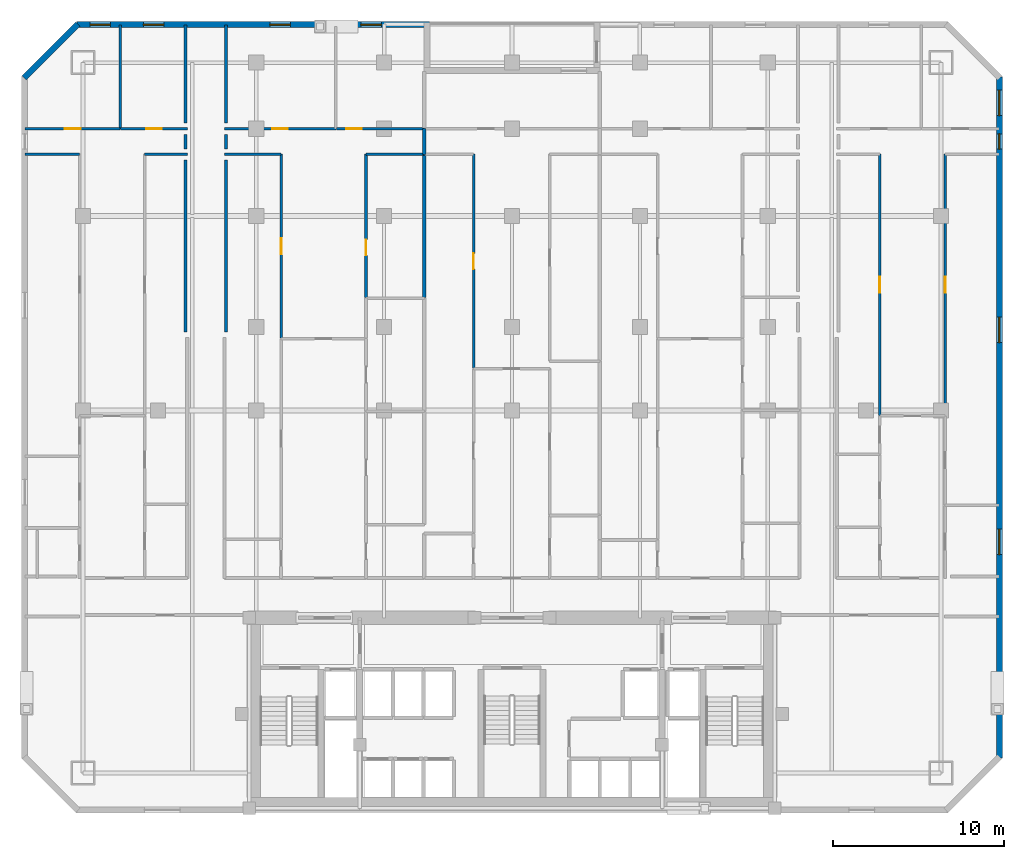
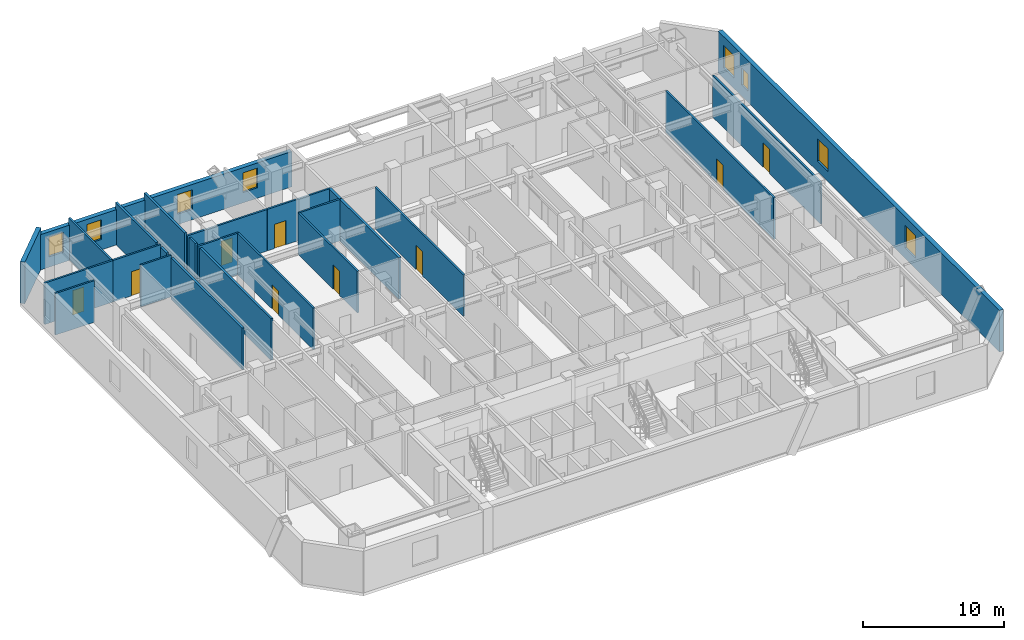
# One storey, part 7 of 10: 25 walls, 9 doors, 8 windows, 17 openings.
"""IFC4 building model written with IfcOpenShell, lengths in metres."""

from ifc_helpers import new_model, si_unit, direction, frame, frame_2d, origin, place, context, subcontext, project, spatial, rectangle, extrude, material, layer, layer_set, type_object, element, fill, save


model = new_model("IFC4")

# Units and contexts
model_context = context("Model", 3, precision=1e-05, world=origin(), true_north=direction((0.0, 1.0)))
body_context = subcontext(model_context, "Body", "Model", "MODEL_VIEW")
ifc_project = project(units=[si_unit("LENGTHUNIT", "METRE"), si_unit("AREAUNIT", "SQUARE_METRE"), si_unit("VOLUMEUNIT", "CUBIC_METRE"), si_unit("PLANEANGLEUNIT", "RADIAN"), si_unit("MASSUNIT", "GRAM", prefix="KILO")], contexts=[model_context])

# Site, building, storey
site_placement = place(None, origin())
site = spatial("IfcSite", under=ifc_project, at=site_placement, CompositionType="ELEMENT")
building_placement = place(site_placement, origin())
building = spatial("IfcBuilding", under=site, at=building_placement, Name="Ventersveld Concourse Tower", CompositionType="ELEMENT")
storey_placement = place(building_placement, frame((0.0, 0.0, 49.050048828125)))
storey = spatial("IfcBuildingStorey", under=building, at=storey_placement, Name="L11", CompositionType="ELEMENT", Elevation=49.050048828125)

# Walls
ifc_material_1 = material(Name="Fire-rated autoclaved aerated masonry blockwork", Category="masonry")
ifc_layer_1 = layer(ifc_material_1, 0.179931640625)
ifc_layer_set_1 = layer_set([ifc_layer_1], Name="Fire-rated autoclaved aerated masonry blockwork")
wall_type_1 = type_object("IfcWallType", Name="WL-CORR-180", PredefinedType="PARTITIONING", material=ifc_layer_set_1)
wall_1_placement = place(storey_placement, frame((9.6201171875, 39.794921875, 0.0), z_axis=(0.0, 0.0, 1.0), x_axis=(0.0, -1.0, 0.0)))
element("IfcWall", 1, at=wall_1_placement, inside=storey, type_object=wall_type_1, Name="L11 Room Enclosure Wall SP-L11-11NW-LIV", PredefinedType="PARTITIONING", context=body_context, shape_type="SweptSolid", body=[
    extrude(rectangle(XDim=0.849853515625, YDim=0.179931640625, at=frame_2d((0.4248046875, 0.0))), origin(), (0.0, 0.0, 1.0), 3.599853515625),
])
wall_2_placement = place(storey_placement, frame((9.6201171875, 38.294921875, 0.0), z_axis=(0.0, 0.0, 1.0), x_axis=(0.0, -1.0, 0.0)))
element("IfcWall", 2, at=wall_2_placement, inside=storey, type_object=wall_type_1, Name="L11 Room Enclosure Wall SP-L11-11NW-DENR", PredefinedType="PARTITIONING", context=body_context, shape_type="SweptSolid", body=[
    extrude(rectangle(XDim=10.0849609375, YDim=0.179931640625, at=frame_2d((5.04248046875, 0.0))), origin(), (0.0, 0.0, 1.0), 3.599853515625),
])
wall_3_placement = place(storey_placement, frame((9.6201171875, 46.18994140625, 0.0), z_axis=(0.0, 0.0, 1.0), x_axis=(0.0, -1.0, 0.0)))
element("IfcWall", 3, at=wall_3_placement, inside=storey, type_object=wall_type_1, Name="L11 Room Enclosure Wall SP-L11-11NW-BR2", PredefinedType="PARTITIONING", context=body_context, shape_type="SweptSolid", body=[
    extrude(rectangle(XDim=5.744873046875, YDim=0.179931640625, at=frame_2d((2.87255859375, 0.0))), origin(), (0.0, 0.0, 1.0), 3.599853515625),
])
wall_4_placement = place(storey_placement, frame((11.97998046875, 38.945068359375, 0.0), z_axis=(0.0, 0.0, 1.0), x_axis=(0.0, 1.0, 0.0)))
element("IfcWall", 4, at=wall_4_placement, inside=storey, type_object=wall_type_1, Name="L11 Room Enclosure Wall SP-L11-11CW-LIV", PredefinedType="PARTITIONING", context=body_context, shape_type="SweptSolid", body=[
    extrude(rectangle(XDim=0.849853515625, YDim=0.179931640625, at=frame_2d((0.4248046875, 0.0))), origin(), (0.0, 0.0, 1.0), 3.599853515625),
])
wall_5_placement = place(storey_placement, frame((11.97998046875, 28.2099609375, 0.0), z_axis=(0.0, 0.0, 1.0), x_axis=(0.0, 1.0, 0.0)))
element("IfcWall", 5, at=wall_5_placement, inside=storey, type_object=wall_type_1, Name="L11 Room Enclosure Wall SP-L11-11CW-MEDL0", PredefinedType="PARTITIONING", context=body_context, shape_type="SweptSolid", body=[
    extrude(rectangle(XDim=10.0849609375, YDim=0.179931640625, at=frame_2d((5.04248046875, 0.0))), origin(), (0.0, 0.0, 1.0), 3.599853515625),
])
wall_6_placement = place(storey_placement, frame((11.97998046875, 40.445068359375, 0.0), z_axis=(0.0, 0.0, 1.0), x_axis=(0.0, 1.0, 0.0)))
element("IfcWall", 6, at=wall_6_placement, inside=storey, type_object=wall_type_1, Name="L11 Room Enclosure Wall SP-L11-11CW-BR1", PredefinedType="PARTITIONING", context=body_context, shape_type="SweptSolid", body=[
    extrude(rectangle(XDim=5.744873046875, YDim=0.179931640625, at=frame_2d((2.87255859375, 0.0))), origin(), (0.0, 0.0, 1.0), 3.599853515625),
])
ifc_layer_2 = layer(ifc_material_1, 0.199951171875)
ifc_layer_set_2 = layer_set([ifc_layer_2], Name="Fire-rated autoclaved aerated masonry blockwork")
wall_type_2 = type_object("IfcWallType", Name="WL-DEMISE-200", PredefinedType="PARTITIONING", material=ifc_layer_set_2)
wall_7_placement = place(storey_placement, frame((23.610107421875, 38.614990234375, 0.0), z_axis=(0.0, 0.0, 1.0), x_axis=(0.0, 1.0, 0.0)))
element("IfcWall", 7, at=wall_7_placement, inside=storey, type_object=wall_type_2, Name="L11 Interior Partition SP-L11-11CW-LIV-SP-L11-11CM-LIV", PredefinedType="PARTITIONING", context=body_context, shape_type="SweptSolid", body=[
    extrude(rectangle(XDim=1.510009765625, YDim=0.199951171875, at=frame_2d((0.7548828125, 0.0))), origin(), (0.0, 0.0, 1.0), 3.599853515625),
])
wall_8_placement = place(storey_placement, frame((23.610107421875, 30.215576171875, 0.0), z_axis=(0.0, 0.0, 1.0), x_axis=(0.0, 1.0, 0.0)))
element("IfcWall", 8, at=wall_8_placement, inside=storey, type_object=wall_type_2, Name="L11 Interior Partition SP-L11-11CW-DENS2-SP-L11-11CM-DENL", PredefinedType="PARTITIONING", context=body_context, shape_type="SweptSolid", body=[
    extrude(rectangle(XDim=8.369384765625, YDim=0.199951171875, at=frame_2d((4.1845703125, 0.0))), origin(), (0.0, 0.0, 1.0), 3.599853515625),
])
ifc_material_2 = material(Name="Autoclaved aerated masonry blockwork", Category="masonry")
ifc_layer_3 = layer(ifc_material_2, 0.14990234375)
ifc_layer_set_3 = layer_set([ifc_layer_3], Name="Autoclaved aerated masonry blockwork")
wall_type_3 = type_object("IfcWallType", Name="WL-INT-150", PredefinedType="PARTITIONING", material=ifc_layer_set_3)
wall_9_placement = place(storey_placement, frame((0.2099609375, 38.6201171875, 0.0), z_axis=(0.0, 0.0, 1.0), x_axis=(1.0, 0.0, 0.0)))
element("IfcWall", 9, at=wall_9_placement, inside=storey, type_object=wall_type_3, Name="L11 Interior Partition SP-L11-11NW-LIV-SP-L11-11NW-DENL", PredefinedType="PARTITIONING", context=body_context, shape_type="SweptSolid", body=[
    extrude(rectangle(XDim=3.190185546875, YDim=0.14990234375, at=frame_2d((1.59521484375, 0.0))), origin(), (0.0, 0.0, 1.0), 3.599853515625),
])
wall_10_placement = place(storey_placement, frame((7.212158203125, 38.6201171875, 0.0), z_axis=(0.0, 0.0, 1.0), x_axis=(1.0, 0.0, 0.0)))
element("IfcWall", 10, at=wall_10_placement, inside=storey, type_object=wall_type_3, Name="L11 Interior Partition SP-L11-11NW-LIV-SP-L11-11NW-DENR", PredefinedType="PARTITIONING", context=body_context, shape_type="SweptSolid", body=[
    extrude(rectangle(XDim=2.5029296875, YDim=0.14990234375, at=frame_2d((1.25146484375, 0.0))), origin(), (0.0, 0.0, 1.0), 3.599853515625),
])

# Wall, opening, door
wall_11_placement = place(storey_placement, frame((0.2099609375, 40.1201171875, 0.0), z_axis=(0.0, 0.0, 1.0), x_axis=(1.0, 0.0, 0.0)))
wall_11 = element("IfcWall", 11, at=wall_11_placement, inside=storey, type_object=wall_type_3, Name="L11 Interior Partition SP-L11-11NW-LIV-SP-L11-11NW-BR1", PredefinedType="PARTITIONING", context=body_context, shape_type="SweptSolid", body=[
    extrude(rectangle(XDim=5.566162109375, YDim=0.14990234375, at=frame_2d((2.783203125, 0.0))), origin(), (0.0, 0.0, 1.0), 3.599853515625),
])
opening_1_placement = place(wall_11_placement, frame((2.322998046875, 0.0, 0.0)))
opening_1 = element("IfcOpeningElement", 12, at=opening_1_placement, cuts=wall_11, Name="Opening ID1", PredefinedType="OPENING", context=body_context, shape_type="SweptSolid", body=[
    extrude(rectangle(XDim=0.919921875, YDim=2.10009765625, at=frame_2d((0.4599609375, 1.050048828125))), frame((0.0, 0.0849609375, 0.0), z_axis=(0.0, -1.0, 0.0), x_axis=(1.0, 0.0, 0.0)), (0.0, 0.0, 1.0), 0.169921875),
])
ifc_material_3 = material(Name="Solid-core hardwood veneer timber", Category="wood")
door_type = type_object("IfcDoorType", Name="DR-ROOM-092", OperationType="NOTDEFINED", PredefinedType="DOOR", material=ifc_material_3)
door_1_placement = place(opening_1_placement, origin())
door_1 = element("IfcDoor", 13, at=door_1_placement, inside=storey, type_object=door_type, Name="L11 Interior Door SP-L11-11NW-LIV to SP-L11-11NW-BR1 (D-L11-0435)", OperationType="SINGLE_SWING_LEFT", OverallHeight=2.10009765625, OverallWidth=0.919921875, PredefinedType="DOOR", context=body_context, shape_type="SweptSolid", body=[
    extrude(rectangle(XDim=0.919921875, YDim=2.10009765625, at=frame_2d((0.4599609375, 1.050048828125))), frame((0.0, 0.02490234375, 0.0), z_axis=(0.0, -1.0, 0.0), x_axis=(1.0, 0.0, 0.0)), (0.0, 0.0, 1.0), 0.050048828125),
])
fill(opening_1, door_1)

wall_12_placement = place(storey_placement, frame((5.80615234375, 40.1201171875, 0.0), z_axis=(0.0, 0.0, 1.0), x_axis=(1.0, 0.0, 0.0)))
wall_12 = element("IfcWall", 14, at=wall_12_placement, inside=storey, type_object=wall_type_3, Name="L11 Interior Partition SP-L11-11NW-LIV-SP-L11-11NW-BR2", PredefinedType="PARTITIONING", context=body_context, shape_type="SweptSolid", body=[
    extrude(rectangle(XDim=3.908935546875, YDim=0.14990234375, at=frame_2d((1.95458984375, 0.0))), origin(), (0.0, 0.0, 1.0), 3.599853515625),
])
opening_2_placement = place(wall_12_placement, frame((1.494384765625, 0.0, 0.0)))
opening_2 = element("IfcOpeningElement", 15, at=opening_2_placement, cuts=wall_12, Name="Opening ID1", PredefinedType="OPENING", context=body_context, shape_type="SweptSolid", body=[
    extrude(rectangle(XDim=0.919921875, YDim=2.10009765625, at=frame_2d((0.4599609375, 1.050048828125))), frame((0.0, 0.0849609375, 0.0), z_axis=(0.0, -1.0, 0.0), x_axis=(1.0, 0.0, 0.0)), (0.0, 0.0, 1.0), 0.169921875),
])
door_2_placement = place(opening_2_placement, origin())
door_2 = element("IfcDoor", 16, at=door_2_placement, inside=storey, type_object=door_type, Name="L11 Interior Door SP-L11-11NW-LIV to SP-L11-11NW-BR2 (D-L11-0436)", OperationType="SINGLE_SWING_RIGHT", OverallHeight=2.10009765625, OverallWidth=0.919921875, PredefinedType="DOOR", context=body_context, shape_type="SweptSolid", body=[
    extrude(rectangle(XDim=0.919921875, YDim=2.10009765625, at=frame_2d((0.4599609375, 1.050048828125))), frame((0.0, 0.02490234375, 0.0), z_axis=(0.0, -1.0, 0.0), x_axis=(1.0, 0.0, 0.0)), (0.0, 0.0, 1.0), 0.050048828125),
])
fill(opening_2, door_2)

# Wall
wall_13_placement = place(storey_placement, frame((5.771240234375, 40.114990234375, 0.0), z_axis=(0.0, 0.0, 1.0), x_axis=(0.0, 1.0, 0.0)))
element("IfcWall", 17, at=wall_13_placement, inside=storey, type_object=wall_type_3, Name="L11 Interior Partition SP-L11-11NW-BR1-SP-L11-11NW-BR2", PredefinedType="PARTITIONING", context=body_context, shape_type="SweptSolid", body=[
    extrude(rectangle(XDim=6.074951171875, YDim=0.14990234375, at=frame_2d((3.03759765625, 0.0))), origin(), (0.0, 0.0, 1.0), 3.599853515625),
])

# Wall, opening, door
wall_14_placement = place(storey_placement, frame((50.319091796875, 23.317138671875, 0.0), z_axis=(0.0, 0.0, 1.0), x_axis=(0.0, 1.0, 0.0)))
wall_14 = element("IfcWall", 18, at=wall_14_placement, inside=storey, type_object=wall_type_3, Name="L11 Interior Partition SP-L11-11NE-LIV-SP-L11-11NE-DENL", PredefinedType="PARTITIONING", context=body_context, shape_type="SweptSolid", body=[
    extrude(rectangle(XDim=15.307861328125, YDim=0.14990234375, at=frame_2d((7.65380859375, 0.0))), origin(), (0.0, 0.0, 1.0), 3.599853515625),
])
opening_3_placement = place(wall_14_placement, frame((7.19384765625, 0.0, 0.0)))
opening_3 = element("IfcOpeningElement", 19, at=opening_3_placement, cuts=wall_14, Name="Opening ID1", PredefinedType="OPENING", context=body_context, shape_type="SweptSolid", body=[
    extrude(rectangle(XDim=0.919921875, YDim=2.10009765625, at=frame_2d((0.4599609375, 1.050048828125))), frame((0.0, 0.0849609375, 0.0), z_axis=(0.0, -1.0, 0.0), x_axis=(1.0, 0.0, 0.0)), (0.0, 0.0, 1.0), 0.169921875),
])
door_3_placement = place(opening_3_placement, origin())
door_3 = element("IfcDoor", 20, at=door_3_placement, inside=storey, type_object=door_type, Name="L11 Interior Door SP-L11-11NE-LIV to SP-L11-11NE-DENL (D-L11-0443)", OperationType="SINGLE_SWING_LEFT", OverallHeight=2.10009765625, OverallWidth=0.919921875, PredefinedType="DOOR", context=body_context, shape_type="SweptSolid", body=[
    extrude(rectangle(XDim=0.919921875, YDim=2.10009765625, at=frame_2d((0.4599609375, 1.050048828125))), frame((0.0, 0.02490234375, 0.0), z_axis=(0.0, -1.0, 0.0), x_axis=(1.0, 0.0, 0.0)), (0.0, 0.0, 1.0), 0.050048828125),
])
fill(opening_3, door_3)

wall_15_placement = place(storey_placement, frame((54.14111328125, 23.317138671875, 0.0), z_axis=(0.0, 0.0, 1.0), x_axis=(0.0, 1.0, 0.0)))
wall_15 = element("IfcWall", 21, at=wall_15_placement, inside=storey, type_object=wall_type_3, Name="L11 Interior Partition SP-L11-11NE-LIV-SP-L11-11NE-DENR", PredefinedType="PARTITIONING", context=body_context, shape_type="SweptSolid", body=[
    extrude(rectangle(XDim=15.307861328125, YDim=0.14990234375, at=frame_2d((7.65380859375, 0.0))), origin(), (0.0, 0.0, 1.0), 3.599853515625),
])
opening_4_placement = place(wall_15_placement, frame((7.19384765625, 0.0, 0.0)))
opening_4 = element("IfcOpeningElement", 22, at=opening_4_placement, cuts=wall_15, Name="Opening ID1", PredefinedType="OPENING", context=body_context, shape_type="SweptSolid", body=[
    extrude(rectangle(XDim=0.919921875, YDim=2.10009765625, at=frame_2d((0.4599609375, 1.050048828125))), frame((0.0, 0.0849609375, 0.0), z_axis=(0.0, -1.0, 0.0), x_axis=(1.0, 0.0, 0.0)), (0.0, 0.0, 1.0), 0.169921875),
])
door_4_placement = place(opening_4_placement, origin())
door_4 = element("IfcDoor", 23, at=door_4_placement, inside=storey, type_object=door_type, Name="L11 Interior Door SP-L11-11NE-LIV to SP-L11-11NE-DENR (D-L11-0444)", OperationType="SINGLE_SWING_RIGHT", OverallHeight=2.10009765625, OverallWidth=0.919921875, PredefinedType="DOOR", context=body_context, shape_type="SweptSolid", body=[
    extrude(rectangle(XDim=0.919921875, YDim=2.10009765625, at=frame_2d((0.4599609375, 1.050048828125))), frame((0.0, 0.02490234375, 0.0), z_axis=(0.0, -1.0, 0.0), x_axis=(1.0, 0.0, 0.0)), (0.0, 0.0, 1.0), 0.050048828125),
])
fill(opening_4, door_4)

wall_16_placement = place(storey_placement, frame((15.2119140625, 27.841796875, 0.0), z_axis=(0.0, 0.0, 1.0), x_axis=(0.0, 1.0, 0.0)))
wall_16 = element("IfcWall", 24, at=wall_16_placement, inside=storey, type_object=wall_type_3, Name="L11 Interior Partition SP-L11-11CW-LIV-SP-L11-11CW-MEDL0", PredefinedType="PARTITIONING", context=body_context, shape_type="SweptSolid", body=[
    extrude(rectangle(XDim=10.783203125, YDim=0.14990234375, at=frame_2d((5.3916015625, 0.0))), origin(), (0.0, 0.0, 1.0), 3.599853515625),
])
opening_5_placement = place(wall_16_placement, frame((4.931640625, 0.0, 0.0)))
opening_5 = element("IfcOpeningElement", 25, at=opening_5_placement, cuts=wall_16, Name="Opening ID1", PredefinedType="OPENING", context=body_context, shape_type="SweptSolid", body=[
    extrude(rectangle(XDim=0.919921875, YDim=2.10009765625, at=frame_2d((0.4599609375, 1.050048828125))), frame((0.0, 0.0849609375, 0.0), z_axis=(0.0, -1.0, 0.0), x_axis=(1.0, 0.0, 0.0)), (0.0, 0.0, 1.0), 0.169921875),
])
door_5_placement = place(opening_5_placement, origin())
door_5 = element("IfcDoor", 26, at=door_5_placement, inside=storey, type_object=door_type, Name="L11 Interior Door SP-L11-11CW-LIV to SP-L11-11CW-MEDL0 (D-L11-0453)", OperationType="SINGLE_SWING_LEFT", OverallHeight=2.10009765625, OverallWidth=0.919921875, PredefinedType="DOOR", context=body_context, shape_type="SweptSolid", body=[
    extrude(rectangle(XDim=0.919921875, YDim=2.10009765625, at=frame_2d((0.4599609375, 1.050048828125))), frame((0.0, 0.02490234375, 0.0), z_axis=(0.0, -1.0, 0.0), x_axis=(1.0, 0.0, 0.0)), (0.0, 0.0, 1.0), 0.050048828125),
])
fill(opening_5, door_5)

# Wall
wall_17_placement = place(storey_placement, frame((11.885009765625, 38.6201171875, 0.0), z_axis=(0.0, 0.0, 1.0), x_axis=(1.0, 0.0, 0.0)))
element("IfcWall", 27, at=wall_17_placement, inside=storey, type_object=wall_type_3, Name="L11 Interior Partition SP-L11-11CW-LIV-SP-L11-11CW-MEDL0", PredefinedType="PARTITIONING", context=body_context, shape_type="SweptSolid", body=[
    extrude(rectangle(XDim=3.33203125, YDim=0.14990234375, at=frame_2d((1.666015625, 0.0))), origin(), (0.0, 0.0, 1.0), 3.599853515625),
])

# Wall, opening, door
wall_18_placement = place(storey_placement, frame((20.19189453125, 30.215576171875, 0.0), z_axis=(0.0, 0.0, 1.0), x_axis=(0.0, 1.0, 0.0)))
wall_18 = element("IfcWall", 28, at=wall_18_placement, inside=storey, type_object=wall_type_3, Name="L11 Interior Partition SP-L11-11CW-LIV-SP-L11-11CW-DENS2", PredefinedType="PARTITIONING", context=body_context, shape_type="SweptSolid", body=[
    extrude(rectangle(XDim=8.409423828125, YDim=0.14990234375, at=frame_2d((4.20458984375, 0.0))), origin(), (0.0, 0.0, 1.0), 3.599853515625),
])
opening_6_placement = place(wall_18_placement, frame((2.4833984375, 0.0, 0.0)))
opening_6 = element("IfcOpeningElement", 29, at=opening_6_placement, cuts=wall_18, Name="Opening ID1", PredefinedType="OPENING", context=body_context, shape_type="SweptSolid", body=[
    extrude(rectangle(XDim=0.919921875, YDim=2.10009765625, at=frame_2d((0.4599609375, 1.050048828125))), frame((0.0, 0.0849609375, 0.0), z_axis=(0.0, -1.0, 0.0), x_axis=(1.0, 0.0, 0.0)), (0.0, 0.0, 1.0), 0.169921875),
])
door_6_placement = place(opening_6_placement, origin())
door_6 = element("IfcDoor", 30, at=door_6_placement, inside=storey, type_object=door_type, Name="L11 Interior Door SP-L11-11CW-LIV to SP-L11-11CW-DENS2 (D-L11-0455)", OperationType="SINGLE_SWING_LEFT", OverallHeight=2.10009765625, OverallWidth=0.919921875, PredefinedType="DOOR", context=body_context, shape_type="SweptSolid", body=[
    extrude(rectangle(XDim=0.919921875, YDim=2.10009765625, at=frame_2d((0.4599609375, 1.050048828125))), frame((0.0, 0.02490234375, 0.0), z_axis=(0.0, -1.0, 0.0), x_axis=(1.0, 0.0, 0.0)), (0.0, 0.0, 1.0), 0.050048828125),
])
fill(opening_6, door_6)

# Wall
wall_19_placement = place(storey_placement, frame((20.18701171875, 38.6201171875, 0.0), z_axis=(0.0, 0.0, 1.0), x_axis=(1.0, 0.0, 0.0)))
element("IfcWall", 31, at=wall_19_placement, inside=storey, type_object=wall_type_3, Name="L11 Interior Partition SP-L11-11CW-LIV-SP-L11-11CW-DENS2", PredefinedType="PARTITIONING", context=body_context, shape_type="SweptSolid", body=[
    extrude(rectangle(XDim=3.427978515625, YDim=0.14990234375, at=frame_2d((1.7138671875, 0.0))), origin(), (0.0, 0.0, 1.0), 3.599853515625),
])

# Wall, opening, door
wall_20_placement = place(storey_placement, frame((11.885009765625, 40.1201171875, 0.0), z_axis=(0.0, 0.0, 1.0), x_axis=(1.0, 0.0, 0.0)))
wall_20 = element("IfcWall", 32, at=wall_20_placement, inside=storey, type_object=wall_type_3, Name="L11 Interior Partition SP-L11-11CW-LIV-SP-L11-11CW-BR1", PredefinedType="PARTITIONING", context=body_context, shape_type="SweptSolid", body=[
    extrude(rectangle(XDim=6.5380859375, YDim=0.14990234375, at=frame_2d((3.26904296875, 0.0))), origin(), (0.0, 0.0, 1.0), 3.599853515625),
])
opening_7_placement = place(wall_20_placement, frame((2.80908203125, 0.0, 0.0)))
opening_7 = element("IfcOpeningElement", 33, at=opening_7_placement, cuts=wall_20, Name="Opening ID1", PredefinedType="OPENING", context=body_context, shape_type="SweptSolid", body=[
    extrude(rectangle(XDim=0.919921875, YDim=2.10009765625, at=frame_2d((0.4599609375, 1.050048828125))), frame((0.0, 0.0849609375, 0.0), z_axis=(0.0, -1.0, 0.0), x_axis=(1.0, 0.0, 0.0)), (0.0, 0.0, 1.0), 0.169921875),
])
door_7_placement = place(opening_7_placement, origin())
door_7 = element("IfcDoor", 34, at=door_7_placement, inside=storey, type_object=door_type, Name="L11 Interior Door SP-L11-11CW-LIV to SP-L11-11CW-BR1 (D-L11-0456)", OperationType="SINGLE_SWING_RIGHT", OverallHeight=2.10009765625, OverallWidth=0.919921875, PredefinedType="DOOR", context=body_context, shape_type="SweptSolid", body=[
    extrude(rectangle(XDim=0.919921875, YDim=2.10009765625, at=frame_2d((0.4599609375, 1.050048828125))), frame((0.0, 0.02490234375, 0.0), z_axis=(0.0, -1.0, 0.0), x_axis=(1.0, 0.0, 0.0)), (0.0, 0.0, 1.0), 0.050048828125),
])
fill(opening_7, door_7)

wall_21_placement = place(storey_placement, frame((18.453125, 40.1201171875, 0.0), z_axis=(0.0, 0.0, 1.0), x_axis=(1.0, 0.0, 0.0)))
wall_21 = element("IfcWall", 35, at=wall_21_placement, inside=storey, type_object=wall_type_3, Name="L11 Interior Partition SP-L11-11CW-LIV-SP-L11-11CW-BR2", PredefinedType="PARTITIONING", context=body_context, shape_type="SweptSolid", body=[
    extrude(rectangle(XDim=5.161865234375, YDim=0.14990234375, at=frame_2d((2.5810546875, 0.0))), origin(), (0.0, 0.0, 1.0), 3.599853515625),
])
opening_8_placement = place(wall_21_placement, frame((0.572509765625, 0.0, 0.0)))
opening_8 = element("IfcOpeningElement", 36, at=opening_8_placement, cuts=wall_21, Name="Opening ID1", PredefinedType="OPENING", context=body_context, shape_type="SweptSolid", body=[
    extrude(rectangle(XDim=0.919921875, YDim=2.10009765625, at=frame_2d((0.4599609375, 1.050048828125))), frame((0.0, 0.0849609375, 0.0), z_axis=(0.0, -1.0, 0.0), x_axis=(1.0, 0.0, 0.0)), (0.0, 0.0, 1.0), 0.169921875),
])
door_8_placement = place(opening_8_placement, origin())
door_8 = element("IfcDoor", 37, at=door_8_placement, inside=storey, type_object=door_type, Name="L11 Interior Door SP-L11-11CW-LIV to SP-L11-11CW-BR2 (D-L11-0457)", OperationType="SINGLE_SWING_LEFT", OverallHeight=2.10009765625, OverallWidth=0.919921875, PredefinedType="DOOR", context=body_context, shape_type="SweptSolid", body=[
    extrude(rectangle(XDim=0.919921875, YDim=2.10009765625, at=frame_2d((0.4599609375, 1.050048828125))), frame((0.0, 0.02490234375, 0.0), z_axis=(0.0, -1.0, 0.0), x_axis=(1.0, 0.0, 0.0)), (0.0, 0.0, 1.0), 0.050048828125),
])
fill(opening_8, door_8)

wall_22_placement = place(storey_placement, frame((26.49609375, 26.080078125, 0.0), z_axis=(0.0, 0.0, 1.0), x_axis=(0.0, 1.0, 0.0)))
wall_22 = element("IfcWall", 38, at=wall_22_placement, inside=storey, type_object=wall_type_3, Name="L11 Interior Partition SP-L11-11CM-LIV-SP-L11-11CM-DENL", PredefinedType="PARTITIONING", context=body_context, shape_type="SweptSolid", body=[
    extrude(rectangle(XDim=12.544921875, YDim=0.14990234375, at=frame_2d((6.2724609375, 0.0))), origin(), (0.0, 0.0, 1.0), 3.599853515625),
])
opening_9_placement = place(wall_22_placement, frame((5.8125, 0.0, 0.0)))
opening_9 = element("IfcOpeningElement", 39, at=opening_9_placement, cuts=wall_22, Name="Opening ID1", PredefinedType="OPENING", context=body_context, shape_type="SweptSolid", body=[
    extrude(rectangle(XDim=0.919921875, YDim=2.10009765625, at=frame_2d((0.4599609375, 1.050048828125))), frame((0.0, 0.0849609375, 0.0), z_axis=(0.0, -1.0, 0.0), x_axis=(1.0, 0.0, 0.0)), (0.0, 0.0, 1.0), 0.169921875),
])
door_9_placement = place(opening_9_placement, origin())
door_9 = element("IfcDoor", 40, at=door_9_placement, inside=storey, type_object=door_type, Name="L11 Interior Door SP-L11-11CM-LIV to SP-L11-11CM-DENL (D-L11-0474)", OperationType="SINGLE_SWING_RIGHT", OverallHeight=2.10009765625, OverallWidth=0.919921875, PredefinedType="DOOR", context=body_context, shape_type="SweptSolid", body=[
    extrude(rectangle(XDim=0.919921875, YDim=2.10009765625, at=frame_2d((0.4599609375, 1.050048828125))), frame((0.0, 0.02490234375, 0.0), z_axis=(0.0, -1.0, 0.0), x_axis=(1.0, 0.0, 0.0)), (0.0, 0.0, 1.0), 0.050048828125),
])
fill(opening_9, door_9)

# Wall, openings, windows
ifc_material_4 = material(Name="Precast concrete C45/55", Category="concrete")
ifc_layer_4 = layer(ifc_material_4, 0.35009765625)
ifc_layer_set_4 = layer_set([ifc_layer_4], Name="Precast concrete C45/55")
wall_type_4 = type_object("IfcWallType", Name="WL-PREC-350", PredefinedType="SOLIDWALL", material=ifc_layer_set_4)
wall_23_placement = place(storey_placement, frame((57.324951171875, 3.239990234375, 0.0), z_axis=(0.0, 0.0, 1.0), x_axis=(0.0, 1.0, 0.0)))
wall_23 = element("IfcWall", 41, at=wall_23_placement, inside=storey, type_object=wall_type_4, Name="L11 Highveld Precast Facade Wall E03", PredefinedType="SOLIDWALL", context=body_context, shape_type="SweptSolid", body=[
    extrude(rectangle(XDim=39.919921875, YDim=0.35009765625, at=frame_2d((19.9599609375, 0.0))), origin(), (0.0, 0.0, 1.0), 3.599853515625),
])
opening_10_placement = place(wall_23_placement, frame((35.679931640625, 0.0, 0.949951171875)))
opening_10 = element("IfcOpeningElement", 42, at=opening_10_placement, cuts=wall_23, Name="Opening W4", PredefinedType="OPENING", context=body_context, shape_type="SweptSolid", body=[
    extrude(rectangle(XDim=0.89990234375, YDim=1.5, at=frame_2d((0.449951171875, 0.75))), frame((0.0, 0.18505859375, 0.0), z_axis=(0.0, -1.0, 0.0), x_axis=(1.0, 0.0, 0.0)), (0.0, 0.0, 1.0), 0.3701171875),
])
opening_11_placement = place(wall_23_placement, frame((11.913330078125, 0.0, 0.89990234375)))
opening_11 = element("IfcOpeningElement", 43, at=opening_11_placement, cuts=wall_23, Name="Opening W1", PredefinedType="OPENING", context=body_context, shape_type="SweptSolid", body=[
    extrude(rectangle(XDim=1.5, YDim=1.949951171875, at=frame_2d((0.75, 0.97509765625))), frame((0.0, 0.18505859375, 0.0), z_axis=(0.0, -1.0, 0.0), x_axis=(1.0, 0.0, 0.0)), (0.0, 0.0, 1.0), 0.3701171875),
])
opening_12_placement = place(wall_23_placement, frame((24.33837890625, 0.0, 0.89990234375)))
opening_12 = element("IfcOpeningElement", 44, at=opening_12_placement, cuts=wall_23, Name="Opening W1", PredefinedType="OPENING", context=body_context, shape_type="SweptSolid", body=[
    extrude(rectangle(XDim=1.5, YDim=1.949951171875, at=frame_2d((0.75, 0.97509765625))), frame((0.0, 0.18505859375, 0.0), z_axis=(0.0, -1.0, 0.0), x_axis=(1.0, 0.0, 0.0)), (0.0, 0.0, 1.0), 0.3701171875),
])
opening_13_placement = place(wall_23_placement, frame((37.64990234375, 0.0, 0.89990234375)))
opening_13 = element("IfcOpeningElement", 45, at=opening_13_placement, cuts=wall_23, Name="Opening W1", PredefinedType="OPENING", context=body_context, shape_type="SweptSolid", body=[
    extrude(rectangle(XDim=1.5, YDim=1.949951171875, at=frame_2d((0.75, 0.97509765625))), frame((0.0, 0.18505859375, 0.0), z_axis=(0.0, -1.0, 0.0), x_axis=(1.0, 0.0, 0.0)), (0.0, 0.0, 1.0), 0.3701171875),
])
ifc_material_5 = material(Name="Tempered acoustic Low-E IGU", Category="glass")
window_type_1 = type_object("IfcWindowType", Name="WIN-090x150", PartitioningType="SINGLE_PANEL", PredefinedType="WINDOW", material=ifc_material_5)
window_1_placement = place(opening_10_placement, origin())
window_1 = element("IfcWindow", 46, at=window_1_placement, inside=storey, type_object=window_type_1, Name="L11 Punched Low-E Window W-0068", OverallHeight=1.5, OverallWidth=0.89990234375, PartitioningType="SINGLE_PANEL", PredefinedType="WINDOW", context=body_context, shape_type="SweptSolid", body=[
    extrude(rectangle(XDim=0.89990234375, YDim=1.5, at=frame_2d((0.449951171875, 0.75))), frame((0.0, 0.030029296875, 0.0), z_axis=(0.0, -1.0, 0.0), x_axis=(1.0, 0.0, 0.0)), (0.0, 0.0, 1.0), 0.06005859375),
])
fill(opening_10, window_1)
window_type_2 = type_object("IfcWindowType", Name="WIN-150x210", PartitioningType="SINGLE_PANEL", PredefinedType="WINDOW", material=ifc_material_5)
window_2_placement = place(opening_11_placement, origin())
window_2 = element("IfcWindow", 47, at=window_2_placement, inside=storey, type_object=window_type_2, Name="L11 Punched Low-E Window W-0069", OverallHeight=1.949951171875, OverallWidth=1.5, PartitioningType="SINGLE_PANEL", PredefinedType="WINDOW", context=body_context, shape_type="SweptSolid", body=[
    extrude(rectangle(XDim=1.5, YDim=1.949951171875, at=frame_2d((0.75, 0.97509765625))), frame((0.0, 0.030029296875, 0.0), z_axis=(0.0, -1.0, 0.0), x_axis=(1.0, 0.0, 0.0)), (0.0, 0.0, 1.0), 0.06005859375),
])
fill(opening_11, window_2)
window_3_placement = place(opening_12_placement, origin())
window_3 = element("IfcWindow", 48, at=window_3_placement, inside=storey, type_object=window_type_2, Name="L11 Punched Low-E Window W-0070", OverallHeight=1.949951171875, OverallWidth=1.5, PartitioningType="SINGLE_PANEL", PredefinedType="WINDOW", context=body_context, shape_type="SweptSolid", body=[
    extrude(rectangle(XDim=1.5, YDim=1.949951171875, at=frame_2d((0.75, 0.97509765625))), frame((0.0, 0.030029296875, 0.0), z_axis=(0.0, -1.0, 0.0), x_axis=(1.0, 0.0, 0.0)), (0.0, 0.0, 1.0), 0.06005859375),
])
fill(opening_12, window_3)
window_4_placement = place(opening_13_placement, origin())
window_4 = element("IfcWindow", 49, at=window_4_placement, inside=storey, type_object=window_type_2, Name="L11 Punched Low-E Window W-0072", OverallHeight=1.949951171875, OverallWidth=1.5, PartitioningType="SINGLE_PANEL", PredefinedType="WINDOW", context=body_context, shape_type="SweptSolid", body=[
    extrude(rectangle(XDim=1.5, YDim=1.949951171875, at=frame_2d((0.75, 0.97509765625))), frame((0.0, 0.030029296875, 0.0), z_axis=(0.0, -1.0, 0.0), x_axis=(1.0, 0.0, 0.0)), (0.0, 0.0, 1.0), 0.06005859375),
])
fill(opening_13, window_4)

wall_24_placement = place(storey_placement, frame((23.909912109375, 46.22509765625, 0.0), z_axis=(0.0, 0.0, 1.0), x_axis=(-1.0, 0.0, 0.0)))
wall_24 = element("IfcWall", 50, at=wall_24_placement, inside=storey, type_object=wall_type_4, Name="L11 Highveld Precast Facade Wall E09", PredefinedType="SOLIDWALL", context=body_context, shape_type="SweptSolid", body=[
    extrude(rectangle(XDim=20.669921875, YDim=0.35009765625, at=frame_2d((10.3349609375, 0.0))), origin(), (0.0, 0.0, 1.0), 3.055419921875),
])
opening_14_placement = place(wall_24_placement, frame((18.699951171875, 0.0, 0.89990234375)))
opening_14 = element("IfcOpeningElement", 51, at=opening_14_placement, cuts=wall_24, Name="Opening W3", PredefinedType="OPENING", context=body_context, shape_type="SweptSolid", body=[
    extrude(rectangle(XDim=1.199951171875, YDim=1.699951171875, at=frame_2d((0.60009765625, 0.85009765625))), frame((0.0, 0.18505859375, 0.0), z_axis=(0.0, -1.0, 0.0), x_axis=(1.0, 0.0, 0.0)), (0.0, 0.0, 1.0), 0.3701171875),
])
opening_15_placement = place(wall_24_placement, frame((15.5693359375, 0.0, 0.89990234375)))
opening_15 = element("IfcOpeningElement", 52, at=opening_15_placement, cuts=wall_24, Name="Opening W3", PredefinedType="OPENING", context=body_context, shape_type="SweptSolid", body=[
    extrude(rectangle(XDim=1.199951171875, YDim=1.699951171875, at=frame_2d((0.60009765625, 0.85009765625))), frame((0.0, 0.18505859375, 0.0), z_axis=(0.0, -1.0, 0.0), x_axis=(1.0, 0.0, 0.0)), (0.0, 0.0, 1.0), 0.3701171875),
])
opening_16_placement = place(wall_24_placement, frame((8.156005859375, 0.0, 0.89990234375)))
opening_16 = element("IfcOpeningElement", 53, at=opening_16_placement, cuts=wall_24, Name="Opening W3", PredefinedType="OPENING", context=body_context, shape_type="SweptSolid", body=[
    extrude(rectangle(XDim=1.199951171875, YDim=1.699951171875, at=frame_2d((0.60009765625, 0.85009765625))), frame((0.0, 0.18505859375, 0.0), z_axis=(0.0, -1.0, 0.0), x_axis=(1.0, 0.0, 0.0)), (0.0, 0.0, 1.0), 0.3701171875),
])
opening_17_placement = place(wall_24_placement, frame((2.8134765625, 0.0, 0.89990234375)))
opening_17 = element("IfcOpeningElement", 54, at=opening_17_placement, cuts=wall_24, Name="Opening W3", PredefinedType="OPENING", context=body_context, shape_type="SweptSolid", body=[
    extrude(rectangle(XDim=1.199951171875, YDim=1.699951171875, at=frame_2d((0.60009765625, 0.85009765625))), frame((0.0, 0.18505859375, 0.0), z_axis=(0.0, -1.0, 0.0), x_axis=(1.0, 0.0, 0.0)), (0.0, 0.0, 1.0), 0.3701171875),
])
window_type_3 = type_object("IfcWindowType", Name="WIN-120x180", PartitioningType="SINGLE_PANEL", PredefinedType="WINDOW", material=ifc_material_5)
window_5_placement = place(opening_14_placement, origin())
window_5 = element("IfcWindow", 55, at=window_5_placement, inside=storey, type_object=window_type_3, Name="L11 Punched Low-E Window W-0066", OverallHeight=1.699951171875, OverallWidth=1.199951171875, PartitioningType="SINGLE_PANEL", PredefinedType="WINDOW", context=body_context, shape_type="SweptSolid", body=[
    extrude(rectangle(XDim=1.199951171875, YDim=1.699951171875, at=frame_2d((0.60009765625, 0.85009765625))), frame((0.0, 0.030029296875, 0.0), z_axis=(0.0, -1.0, 0.0), x_axis=(1.0, 0.0, 0.0)), (0.0, 0.0, 1.0), 0.06005859375),
])
fill(opening_14, window_5)
window_6_placement = place(opening_15_placement, origin())
window_6 = element("IfcWindow", 56, at=window_6_placement, inside=storey, type_object=window_type_3, Name="L11 Punched Low-E Window W-0067", OverallHeight=1.699951171875, OverallWidth=1.199951171875, PartitioningType="SINGLE_PANEL", PredefinedType="WINDOW", context=body_context, shape_type="SweptSolid", body=[
    extrude(rectangle(XDim=1.199951171875, YDim=1.699951171875, at=frame_2d((0.60009765625, 0.85009765625))), frame((0.0, 0.030029296875, 0.0), z_axis=(0.0, -1.0, 0.0), x_axis=(1.0, 0.0, 0.0)), (0.0, 0.0, 1.0), 0.06005859375),
])
fill(opening_15, window_6)
window_7_placement = place(opening_16_placement, origin())
window_7 = element("IfcWindow", 57, at=window_7_placement, inside=storey, type_object=window_type_3, Name="L11 Punched Low-E Window W-0073", OverallHeight=1.699951171875, OverallWidth=1.199951171875, PartitioningType="SINGLE_PANEL", PredefinedType="WINDOW", context=body_context, shape_type="SweptSolid", body=[
    extrude(rectangle(XDim=1.199951171875, YDim=1.699951171875, at=frame_2d((0.60009765625, 0.85009765625))), frame((0.0, 0.030029296875, 0.0), z_axis=(0.0, -1.0, 0.0), x_axis=(1.0, 0.0, 0.0)), (0.0, 0.0, 1.0), 0.06005859375),
])
fill(opening_16, window_7)
window_8_placement = place(opening_17_placement, origin())
window_8 = element("IfcWindow", 58, at=window_8_placement, inside=storey, type_object=window_type_3, Name="L11 Punched Low-E Window W-0074", OverallHeight=1.699951171875, OverallWidth=1.199951171875, PartitioningType="SINGLE_PANEL", PredefinedType="WINDOW", context=body_context, shape_type="SweptSolid", body=[
    extrude(rectangle(XDim=1.199951171875, YDim=1.699951171875, at=frame_2d((0.60009765625, 0.85009765625))), frame((0.0, 0.030029296875, 0.0), z_axis=(0.0, -1.0, 0.0), x_axis=(1.0, 0.0, 0.0)), (0.0, 0.0, 1.0), 0.06005859375),
])
fill(opening_17, window_8)

# Wall
wall_25_placement = place(storey_placement, frame((3.29541015625, 46.248046875, 0.0), z_axis=(0.0, 0.0, 1.0), x_axis=(-0.707079321262, -0.707134240044, 0.0)))
element("IfcWall", 59, at=wall_25_placement, inside=storey, type_object=wall_type_4, Name="L11 Highveld Precast Facade Wall E10", PredefinedType="SOLIDWALL", context=body_context, shape_type="SweptSolid", body=[
    extrude(rectangle(XDim=4.445556640625, YDim=0.35009765625, at=frame_2d((2.22265625, 0.0))), origin(), (0.0, 0.0, 1.0), 3.599853515625),
])

save(model, "model.ifc")
